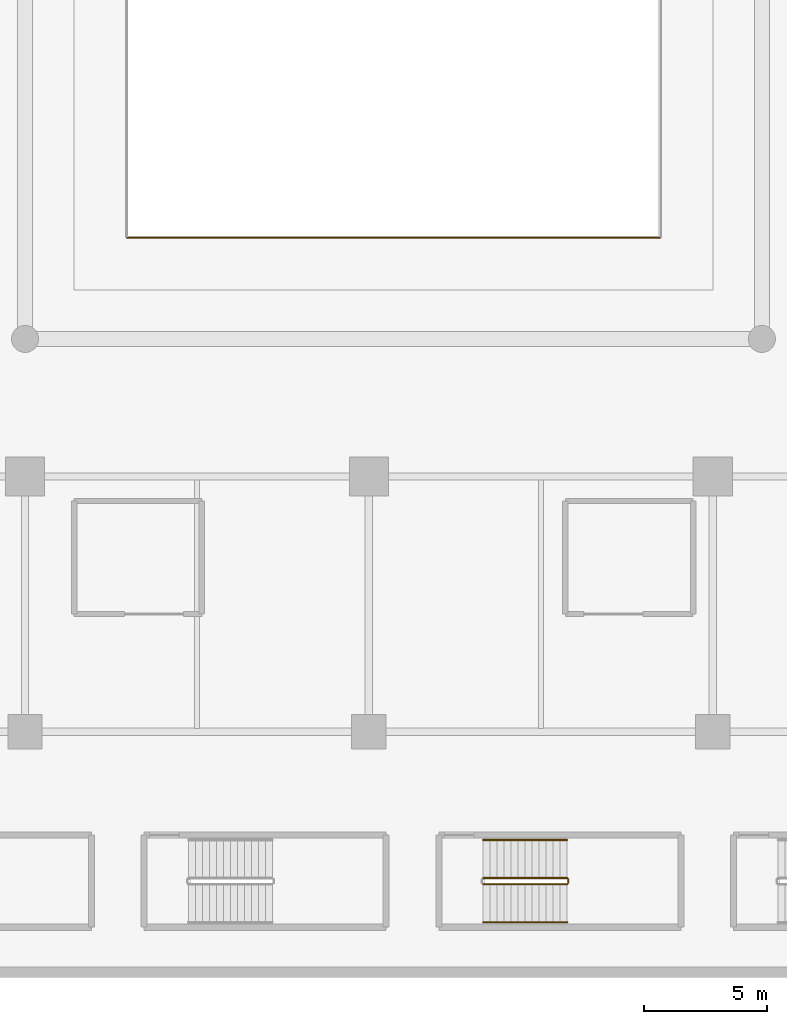
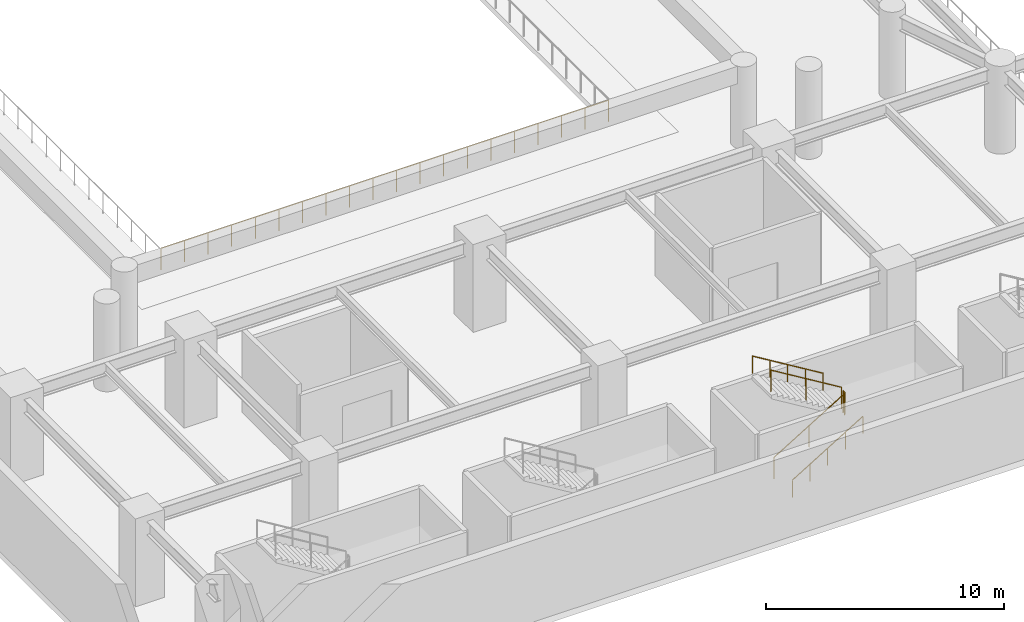
# One storey, part 24 of 32: 6 railings.
"""IFC4 building model written with IfcOpenShell, lengths in metres."""

from ifc_helpers import new_model, si_unit, direction, frame, origin, origin_2d, place, context, subcontext, project, spatial, circle, extrude, material, type_object, element, save


model = new_model("IFC4")

# Units and contexts
model_context = context("Model", 3, precision=1e-05, world=origin(), true_north=direction((0.0, 1.0)))
body_context = subcontext(model_context, "Body", "Model", "MODEL_VIEW")
ifc_project = project(units=[si_unit("LENGTHUNIT", "METRE"), si_unit("AREAUNIT", "SQUARE_METRE"), si_unit("VOLUMEUNIT", "CUBIC_METRE"), si_unit("PLANEANGLEUNIT", "RADIAN"), si_unit("MASSUNIT", "GRAM", prefix="KILO")], contexts=[model_context])

# Site, building, storey
site_placement = place(None, origin())
site = spatial("IfcSite", under=ifc_project, at=site_placement, CompositionType="ELEMENT")
building_placement = place(site_placement, origin())
building = spatial("IfcBuilding", under=site, at=building_placement, Name="Narakoshi Arena Tower", CompositionType="ELEMENT")
storey_placement = place(building_placement, frame((0.0, 0.0, 4.5)))
storey = spatial("IfcBuildingStorey", under=building, at=storey_placement, Name="L01", CompositionType="ELEMENT", Elevation=4.5)

# Railings
ifc_material_1 = material(Name="Clear low-iron laminated structural glass", Category="glass")
railing_type_1 = type_object("IfcRailingType", Name="RL-BAL-1100", PredefinedType="BALUSTRADE", material=ifc_material_1)
railing_1_placement = place(storey_placement, frame((30.64990234375, 3.800048828125, 0.173095703125)))
element("IfcRailing", 1, at=railing_1_placement, inside=storey, type_object=railing_type_1, Name="L01 AST3 stair guard 1", PredefinedType="BALUSTRADE", context=body_context, shape_type="SweptSolid", body=[
    extrude(circle(Radius=0.02392578125, at=origin_2d()), frame((0.0, 0.0, 1.09619140625), z_axis=(0.854745945586, 0.0, 0.519046595696), x_axis=(0.0, 1.0, 0.0)), (0.0, 0.0, 1.0), 4.00146484375),
    extrude(circle(Radius=0.02099609375, at=origin_2d()), origin(), (0.0, 0.0, 1.0), 1.072021484375),
    extrude(circle(Radius=0.02099609375, at=origin_2d()), frame((1.7099609375, 0.0, 1.03857421875)), (0.0, 0.0, 1.0), 1.072021484375),
    extrude(circle(Radius=0.02099609375, at=origin_2d()), frame((3.420166015625, 0.0, 2.076904296875)), (0.0, 0.0, 1.0), 1.072021484375),
])
railing_2_placement = place(storey_placement, frame((34.1201171875, 3.85009765625, 2.25)))
element("IfcRailing", 2, at=railing_2_placement, inside=storey, type_object=railing_type_1, Name="L01 AST3 stair guard 2", PredefinedType="BALUSTRADE", context=body_context, shape_type="SweptSolid", body=[
    extrude(circle(Radius=0.02392578125, at=origin_2d()), frame((0.0, 0.0, 1.09619140625), z_axis=(0.0, 1.0, 0.0), x_axis=(-1.0, 0.0, 0.0)), (0.0, 0.0, 1.0), 0.14990234375),
    extrude(circle(Radius=0.02099609375, at=origin_2d()), origin(), (0.0, 0.0, 1.0), 1.072021484375),
    extrude(circle(Radius=0.02099609375, at=origin_2d()), frame((0.0, 0.14990234375, 0.0)), (0.0, 0.0, 1.0), 1.072021484375),
])
railing_3_placement = place(storey_placement, frame((34.070068359375, 4.050048828125, 2.423095703125)))
element("IfcRailing", 3, at=railing_3_placement, inside=storey, type_object=railing_type_1, Name="L01 AST3 stair guard 3", PredefinedType="BALUSTRADE", context=body_context, shape_type="SweptSolid", body=[
    extrude(circle(Radius=0.02392578125, at=origin_2d()), frame((0.0, 0.0, 1.09619140625), z_axis=(-0.854745945586, 0.0, 0.519046595696), x_axis=(0.0, -1.0, 0.0)), (0.0, 0.0, 1.0), 4.00146484375),
    extrude(circle(Radius=0.02099609375, at=origin_2d()), origin(), (0.0, 0.0, 1.0), 1.072021484375),
    extrude(circle(Radius=0.02099609375, at=origin_2d()), frame((-1.7099609375, 0.0, 1.03857421875)), (0.0, 0.0, 1.0), 1.072021484375),
    extrude(circle(Radius=0.02099609375, at=origin_2d()), frame((-3.420166015625, 0.0, 2.076904296875)), (0.0, 0.0, 1.0), 1.072021484375),
])
railing_4_placement = place(storey_placement, frame((16.159912109375, 30.1201171875, 0.0)))
element("IfcRailing", 4, at=railing_4_placement, inside=storey, type_object=railing_type_1, Name="L01 Arena Bowl Tier Balustrade 1", PredefinedType="BALUSTRADE", context=body_context, shape_type="SweptSolid", body=[
    extrude(circle(Radius=0.02392578125, at=origin_2d()), frame((0.0, 0.0, 1.09619140625), z_axis=(1.0, 0.0, 0.0), x_axis=(0.0, 1.0, 0.0)), (0.0, 0.0, 1.0), 21.68017578125),
    extrude(circle(Radius=0.02099609375, at=origin_2d()), origin(), (0.0, 0.0, 1.0), 1.072021484375),
    extrude(circle(Radius=0.02099609375, at=origin_2d()), frame((1.14111328125, 0.0, 0.0)), (0.0, 0.0, 1.0), 1.072021484375),
    extrude(circle(Radius=0.02099609375, at=origin_2d()), frame((2.2822265625, 0.0, 0.0)), (0.0, 0.0, 1.0), 1.072021484375),
    extrude(circle(Radius=0.02099609375, at=origin_2d()), frame((3.423095703125, 0.0, 0.0)), (0.0, 0.0, 1.0), 1.072021484375),
    extrude(circle(Radius=0.02099609375, at=origin_2d()), frame((4.564208984375, 0.0, 0.0)), (0.0, 0.0, 1.0), 1.072021484375),
    extrude(circle(Radius=0.02099609375, at=origin_2d()), frame((5.705322265625, 0.0, 0.0)), (0.0, 0.0, 1.0), 1.072021484375),
    extrude(circle(Radius=0.02099609375, at=origin_2d()), frame((6.846435546875, 0.0, 0.0)), (0.0, 0.0, 1.0), 1.072021484375),
    extrude(circle(Radius=0.02099609375, at=origin_2d()), frame((7.987548828125, 0.0, 0.0)), (0.0, 0.0, 1.0), 1.072021484375),
    extrude(circle(Radius=0.02099609375, at=origin_2d()), frame((9.12841796875, 0.0, 0.0)), (0.0, 0.0, 1.0), 1.072021484375),
    extrude(circle(Radius=0.02099609375, at=origin_2d()), frame((10.26953125, 0.0, 0.0)), (0.0, 0.0, 1.0), 1.072021484375),
    extrude(circle(Radius=0.02099609375, at=origin_2d()), frame((11.41064453125, 0.0, 0.0)), (0.0, 0.0, 1.0), 1.072021484375),
    extrude(circle(Radius=0.02099609375, at=origin_2d()), frame((12.5517578125, 0.0, 0.0)), (0.0, 0.0, 1.0), 1.072021484375),
    extrude(circle(Radius=0.02099609375, at=origin_2d()), frame((13.692626953125, 0.0, 0.0)), (0.0, 0.0, 1.0), 1.072021484375),
    extrude(circle(Radius=0.02099609375, at=origin_2d()), frame((14.833740234375, 0.0, 0.0)), (0.0, 0.0, 1.0), 1.072021484375),
    extrude(circle(Radius=0.02099609375, at=origin_2d()), frame((15.974853515625, 0.0, 0.0)), (0.0, 0.0, 1.0), 1.072021484375),
    extrude(circle(Radius=0.02099609375, at=origin_2d()), frame((17.115966796875, 0.0, 0.0)), (0.0, 0.0, 1.0), 1.072021484375),
    extrude(circle(Radius=0.02099609375, at=origin_2d()), frame((18.257080078125, 0.0, 0.0)), (0.0, 0.0, 1.0), 1.072021484375),
    extrude(circle(Radius=0.02099609375, at=origin_2d()), frame((19.39794921875, 0.0, 0.0)), (0.0, 0.0, 1.0), 1.072021484375),
    extrude(circle(Radius=0.02099609375, at=origin_2d()), frame((20.5390625, 0.0, 0.0)), (0.0, 0.0, 1.0), 1.072021484375),
    extrude(circle(Radius=0.02099609375, at=origin_2d()), frame((21.68017578125, 0.0, 0.0)), (0.0, 0.0, 1.0), 1.072021484375),
])
ifc_material_2 = material(Name="Brushed bronze stainless steel", Category="steel")
railing_type_2 = type_object("IfcRailingType", Name="RL-HND-900", PredefinedType="HANDRAIL", material=ifc_material_2)
railing_5_placement = place(storey_placement, frame((30.64990234375, 2.25, 0.173095703125)))
element("IfcRailing", 5, at=railing_5_placement, inside=storey, type_object=railing_type_2, Name="L01 AST3 stair handrail 1", PredefinedType="HANDRAIL", context=body_context, shape_type="SweptSolid", body=[
    extrude(circle(Radius=0.02392578125, at=origin_2d()), frame((0.0, 0.0, 0.8759765625), z_axis=(0.854745945586, 0.0, 0.519046595696), x_axis=(0.0, 1.0, 0.0)), (0.0, 0.0, 1.0), 4.00146484375),
    extrude(circle(Radius=0.02099609375, at=origin_2d()), origin(), (0.0, 0.0, 1.0), 0.851806640625),
    extrude(circle(Radius=0.02099609375, at=origin_2d()), frame((0.85498046875, 0.0, 0.519287109375)), (0.0, 0.0, 1.0), 0.851806640625),
    extrude(circle(Radius=0.02099609375, at=origin_2d()), frame((1.7099609375, 0.0, 1.03857421875)), (0.0, 0.0, 1.0), 0.851806640625),
    extrude(circle(Radius=0.02099609375, at=origin_2d()), frame((2.565185546875, 0.0, 1.5576171875)), (0.0, 0.0, 1.0), 0.851806640625),
    extrude(circle(Radius=0.02099609375, at=origin_2d()), frame((3.420166015625, 0.0, 2.076904296875)), (0.0, 0.0, 1.0), 0.851806640625),
])
railing_6_placement = place(storey_placement, frame((34.070068359375, 5.60009765625, 2.423095703125)))
element("IfcRailing", 6, at=railing_6_placement, inside=storey, type_object=railing_type_2, Name="L01 AST3 stair handrail 2", PredefinedType="HANDRAIL", context=body_context, shape_type="SweptSolid", body=[
    extrude(circle(Radius=0.02392578125, at=origin_2d()), frame((0.0, 0.0, 0.8759765625), z_axis=(-0.854745945586, 0.0, 0.519046595696), x_axis=(0.0, -1.0, 0.0)), (0.0, 0.0, 1.0), 4.00146484375),
    extrude(circle(Radius=0.02099609375, at=origin_2d()), origin(), (0.0, 0.0, 1.0), 0.851806640625),
    extrude(circle(Radius=0.02099609375, at=origin_2d()), frame((-0.85498046875, 0.0, 0.519287109375)), (0.0, 0.0, 1.0), 0.851806640625),
    extrude(circle(Radius=0.02099609375, at=origin_2d()), frame((-1.7099609375, 0.0, 1.03857421875)), (0.0, 0.0, 1.0), 0.851806640625),
    extrude(circle(Radius=0.02099609375, at=origin_2d()), frame((-2.565185546875, 0.0, 1.5576171875)), (0.0, 0.0, 1.0), 0.851806640625),
    extrude(circle(Radius=0.02099609375, at=origin_2d()), frame((-3.420166015625, 0.0, 2.076904296875)), (0.0, 0.0, 1.0), 0.851806640625),
])

save(model, "model.ifc")
